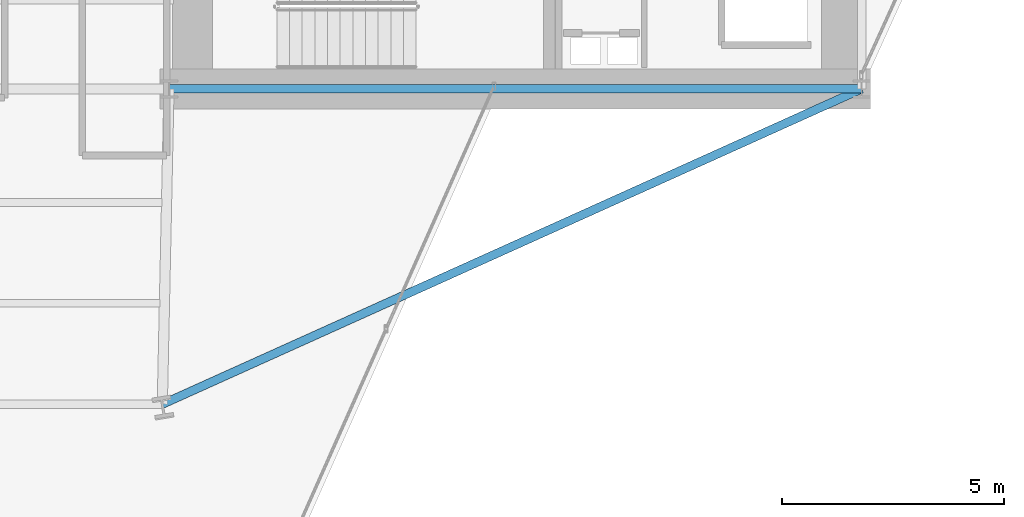
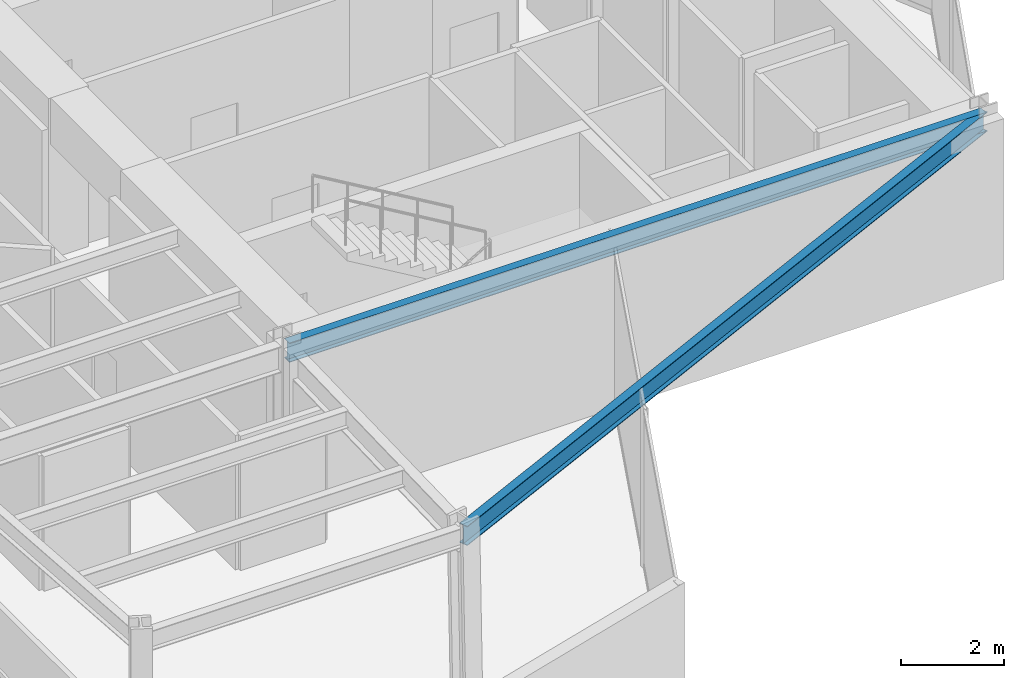
# One storey, part 11 of 24: 2 beams.
"""IFC4 building model written with IfcOpenShell, lengths in metres."""

from ifc_helpers import new_model, si_unit, direction, frame, origin, origin_2d, place, context, subcontext, project, spatial, i_section, extrude, material, material_profile, profile_set, type_object, element, save


model = new_model("IFC4")

# Units and contexts
model_context = context("Model", 3, precision=1e-05, world=origin(), true_north=direction((0.0, 1.0)))
body_context = subcontext(model_context, "Body", "Model", "MODEL_VIEW")
ifc_project = project(units=[si_unit("LENGTHUNIT", "METRE"), si_unit("AREAUNIT", "SQUARE_METRE"), si_unit("VOLUMEUNIT", "CUBIC_METRE"), si_unit("PLANEANGLEUNIT", "RADIAN"), si_unit("MASSUNIT", "GRAM", prefix="KILO")], contexts=[model_context])

# Site, building, storey
site_placement = place(None, origin())
site = spatial("IfcSite", under=ifc_project, at=site_placement, CompositionType="ELEMENT")
building_placement = place(site_placement, origin())
building = spatial("IfcBuilding", under=site, at=building_placement, Name="Veymaron Broadcast Tower", CompositionType="ELEMENT")
storey_placement = place(building_placement, frame((0.0, 0.0, 98.550048828125)))
storey = spatial("IfcBuildingStorey", under=building, at=storey_placement, Name="L22", CompositionType="ELEMENT", Elevation=98.550048828125)

# Beams
ifc_material = material(Name="Structural steel ASTM A992 Gr 50", Category="steel")
ifc_material_profile = material_profile(ifc_material, i_section(OverallWidth=0.19091796875, OverallDepth=0.4599609375, WebThickness=0.010009765625, FlangeThickness=0.01611328125, at=origin_2d()), Name="W460X82")
ifc_profile_set = profile_set([ifc_material_profile], Name="Structural steel ASTM A992 Gr 50")
beam_type = type_object("IfcBeamType", Name="BM-SP1", PredefinedType="SPANDREL", material=ifc_profile_set)
beam_1_placement = place(storey_placement, frame((39.0, 16.0, 3.579833984375), z_axis=(1.0, 0.0, 0.0), x_axis=(0.0, 1.0, 0.0)))
element("IfcBeam", 1, at=beam_1_placement, inside=storey, type_object=beam_type, Name="L22 primary structural floor girder", PredefinedType="SPANDREL", context=body_context, shape_type="SweptSolid", body=[
    extrude(i_section(OverallWidth=0.19091796875, OverallDepth=0.4599609375, WebThickness=0.010009765625, FlangeThickness=0.01611328125, at=origin_2d()), origin(), (0.0, 0.0, 1.0), 15.60009765625),
])
beam_2_placement = place(storey_placement, frame((54.60009765625, 16.0, 3.579833984375), z_axis=(-0.911648428398, -0.41097097586, 0.0), x_axis=(0.41097097586, -0.911648428398, 0.0)))
element("IfcBeam", 2, at=beam_2_placement, inside=storey, type_object=beam_type, Name="L22 primary structural floor girder", PredefinedType="SPANDREL", context=body_context, shape_type="SweptSolid", body=[
    extrude(i_section(OverallWidth=0.19091796875, OverallDepth=0.4599609375, WebThickness=0.010009765625, FlangeThickness=0.01611328125, at=origin_2d()), origin(), (0.0, 0.0, 1.0), 17.2763671875),
])

save(model, "model.ifc")
